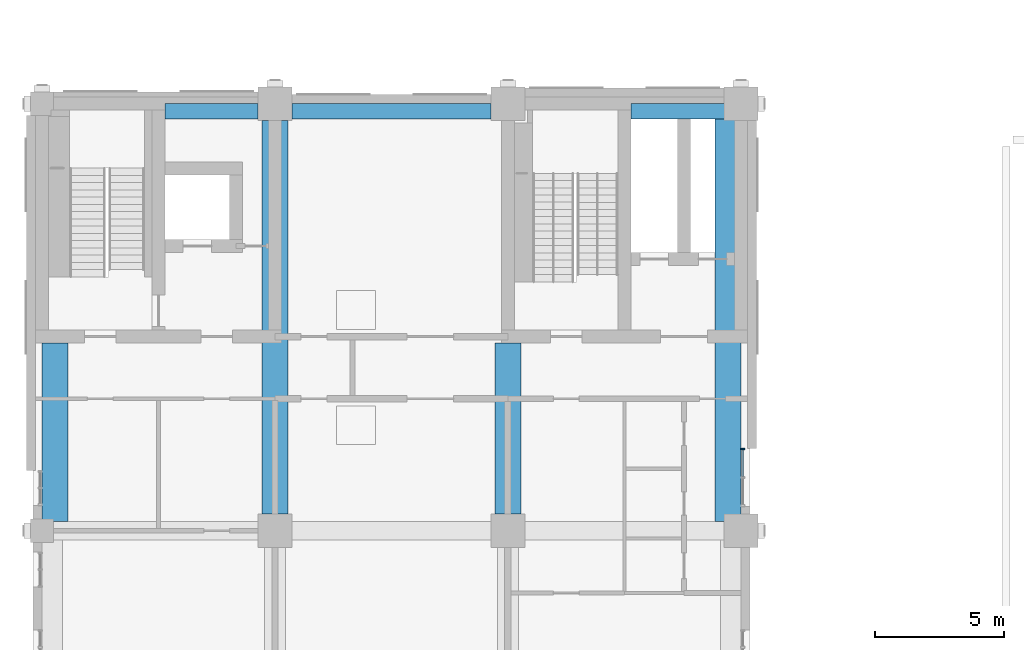
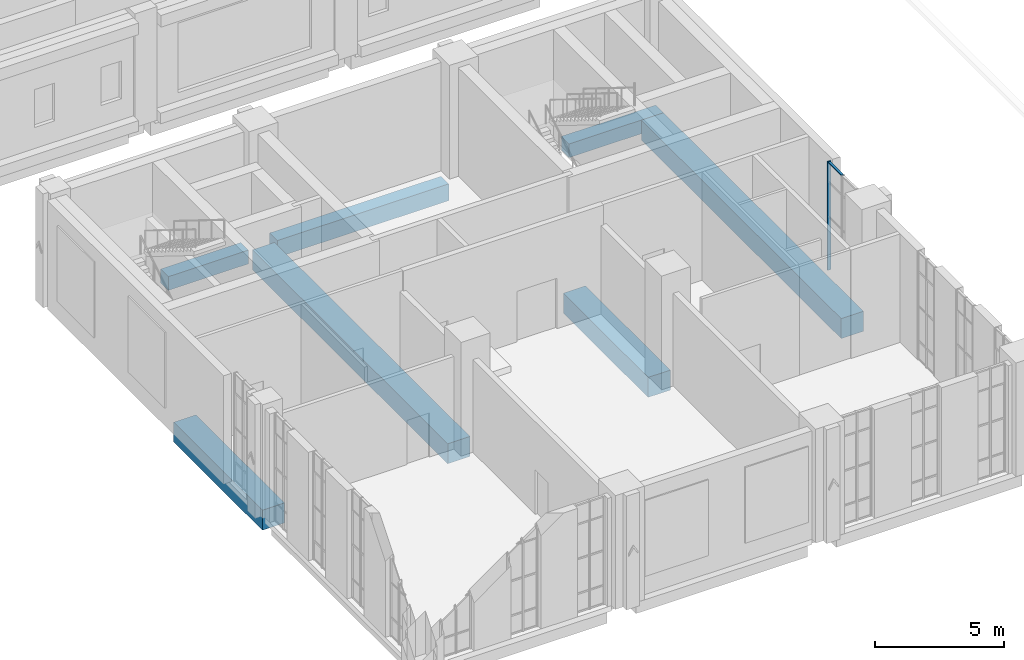
# One storey, part 3 of 37: 7 beams, 2 members, 1 element without a shape of its own.
"""IFC4 building model written with IfcOpenShell, lengths in metres."""

from ifc_helpers import new_model, si_unit, direction, frame, origin, origin_2d, place, context, subcontext, project, spatial, rectangle, extrude, material, layer, layer_set, material_profile, profile_set, type_object, element, aggregate, save


model = new_model("IFC4")

# Units and contexts
model_context = context("Model", 3, precision=1e-05, world=origin(), true_north=direction((0.0, 1.0)))
body_context = subcontext(model_context, "Body", "Model", "MODEL_VIEW")
ifc_project = project(units=[si_unit("LENGTHUNIT", "METRE"), si_unit("AREAUNIT", "SQUARE_METRE"), si_unit("VOLUMEUNIT", "CUBIC_METRE"), si_unit("PLANEANGLEUNIT", "RADIAN"), si_unit("MASSUNIT", "GRAM", prefix="KILO")], contexts=[model_context])

# Site, building, storey
site_placement = place(None, origin())
site = spatial("IfcSite", under=ifc_project, at=site_placement, CompositionType="ELEMENT")
building_placement = place(site_placement, origin())
building = spatial("IfcBuilding", under=site, at=building_placement, Name="Aurelan Courthouse", CompositionType="ELEMENT")
storey_placement = place(building_placement, frame((0.0, 0.0, 17.39990234375)))
storey = spatial("IfcBuildingStorey", under=building, at=storey_placement, Name="L03", CompositionType="ELEMENT", Elevation=17.39990234375)

# Curtain wall, members
ifc_material_1 = material(Name="Bronze-finished aluminium and glass", Category="aluminium")
ifc_layer = layer(ifc_material_1, 0.14990234375)
ifc_layer_set = layer_set([ifc_layer], Name="Bronze-finished aluminium and glass")
curtain_wall_type = type_object("IfcCurtainWallType", Name="Curtain wall 2250 x 5150", PredefinedType="NOTDEFINED", material=ifc_layer_set)
curtain_wall_placement = place(storey_placement, origin())
curtain_wall = element("IfcCurtainWall", 1, at=curtain_wall_placement, inside=storey, type_object=curtain_wall_type, Name="Curtain wall CW-V5-L03-E04", PredefinedType="NOTDEFINED")
ifc_material_2 = material(Name="Bronze-finished aluminium", Category="aluminium")
ifc_material_profile_1 = material_profile(ifc_material_2, rectangle(XDim=0.14990234375, YDim=0.06005859375, at=origin_2d()), Name="Bronze mullion 60 x 150")
ifc_profile_set_1 = profile_set([ifc_material_profile_1], Name="Bronze-finished aluminium")
member_type_1 = type_object("IfcMemberType", Name="Curtain wall mullion 60 x 150", PredefinedType="MULLION", material=ifc_profile_set_1)
member_1_placement = place(storey_placement, frame((27.074951171875, 15.157470703125, 0.0), z_axis=(0.0, 0.0, 1.0), x_axis=(-1.0, 0.0, 0.0)))
member_1 = element("IfcMember", 2, at=member_1_placement, type_object=member_type_1, Name="CW-V5-L03-E04 mullion 3", PredefinedType="MULLION", context=body_context, shape_type="SweptSolid", body=[
    extrude(rectangle(XDim=0.14990234375, YDim=0.06005859375, at=origin_2d()), origin(), (0.0, 0.0, 1.0), 5.150146484375),
])
ifc_material_profile_2 = material_profile(ifc_material_2, rectangle(XDim=0.10009765625, YDim=0.06005859375, at=origin_2d()), Name="Bronze transom 60 x 100")
ifc_profile_set_2 = profile_set([ifc_material_profile_2], Name="Bronze-finished aluminium")
member_type_2 = type_object("IfcMemberType", Name="Curtain wall transom 60 x 100", PredefinedType="USERDEFINED", material=ifc_profile_set_2)
member_2_placement = place(storey_placement, frame((27.074951171875, 14.092529296875, 5.1201171875), z_axis=(0.0, 1.0, 0.0), x_axis=(-1.0, 0.0, 0.0)))
member_2 = element("IfcMember", 3, at=member_2_placement, type_object=member_type_2, Name="CW-V5-L03-E04 transom 2.5", ObjectType="TRANSOM", PredefinedType="USERDEFINED", context=body_context, shape_type="SweptSolid", body=[
    extrude(rectangle(XDim=0.10009765625, YDim=0.06005859375, at=origin_2d()), origin(), (0.0, 0.0, 1.0), 1.034912109375),
])
aggregate(curtain_wall, [member_1, member_2])

# Beams
ifc_material_3 = material(Name="Concrete C50", Category="concrete")
ifc_material_profile_3 = material_profile(ifc_material_3, rectangle(XDim=1.0, YDim=0.949951171875, at=origin_2d()), Name="RC 1000 x 950")
ifc_profile_set_3 = profile_set([ifc_material_profile_3], Name="Concrete C50")
beam_type_1 = type_object("IfcBeamType", Name="PT girder 1000 x 950", PredefinedType="BEAM", material=ifc_profile_set_3)
beam_1_placement = place(storey_placement, frame((0.5, 12.35009765625, -0.724853515625), z_axis=(0.0, 1.0, 0.0), x_axis=(-1.0, 0.0, 0.0)))
element("IfcBeam", 4, at=beam_1_placement, inside=storey, type_object=beam_type_1, Name="Girder GB-1BC-E", PredefinedType="BEAM", context=body_context, shape_type="SweptSolid", body=[
    extrude(rectangle(XDim=1.0, YDim=0.949951171875, at=origin_2d()), origin(), (0.0, 0.0, 1.0), 6.89990234375),
])
beam_2_placement = place(storey_placement, frame((9.0, 12.64990234375, -0.724853515625), z_axis=(0.0, 1.0, 0.0), x_axis=(-1.0, 0.0, 0.0)))
element("IfcBeam", 5, at=beam_2_placement, inside=storey, type_object=beam_type_1, Name="Girder GB-2BC", PredefinedType="BEAM", context=body_context, shape_type="SweptSolid", body=[
    extrude(rectangle(XDim=1.0, YDim=0.949951171875, at=origin_2d()), origin(), (0.0, 0.0, 1.0), 15.2001953125),
])
beam_3_placement = place(storey_placement, frame((18.0, 12.64990234375, -0.724853515625), z_axis=(0.0, 1.0, 0.0), x_axis=(-1.0, 0.0, 0.0)))
element("IfcBeam", 6, at=beam_3_placement, inside=storey, type_object=beam_type_1, Name="Girder GB-3BC", PredefinedType="BEAM", context=body_context, shape_type="SweptSolid", body=[
    extrude(rectangle(XDim=1.0, YDim=0.949951171875, at=origin_2d()), origin(), (0.0, 0.0, 1.0), 6.60009765625),
])
beam_4_placement = place(storey_placement, frame((26.5, 12.35009765625, -0.724853515625), z_axis=(0.0, 1.0, 0.0), x_axis=(-1.0, 0.0, 0.0)))
element("IfcBeam", 7, at=beam_4_placement, inside=storey, type_object=beam_type_1, Name="Girder GB-4BC-E", PredefinedType="BEAM", context=body_context, shape_type="SweptSolid", body=[
    extrude(rectangle(XDim=1.0, YDim=0.949951171875, at=origin_2d()), origin(), (0.0, 0.0, 1.0), 15.5498046875),
])
ifc_material_profile_4 = material_profile(ifc_material_3, rectangle(XDim=0.60009765625, YDim=0.64990234375, at=origin_2d()), Name="RC 600 x 650")
ifc_profile_set_4 = profile_set([ifc_material_profile_4], Name="Concrete C50")
beam_type_2 = type_object("IfcBeamType", Name="RC spandrel beam 600 x 650", PredefinedType="SPANDREL", material=ifc_profile_set_4)
beam_5_placement = place(storey_placement, frame((4.75, 28.199951171875, -0.574951171875), z_axis=(1.0, 0.0, 0.0), x_axis=(0.0, 1.0, 0.0)))
element("IfcBeam", 8, at=beam_5_placement, inside=storey, type_object=beam_type_2, Name="Spandrel beam SB-C-1-2", PredefinedType="SPANDREL", context=body_context, shape_type="SweptSolid", body=[
    extrude(rectangle(XDim=0.60009765625, YDim=0.64990234375, at=origin_2d()), origin(), (0.0, 0.0, 1.0), 3.60009765625),
])
beam_6_placement = place(storey_placement, frame((22.75, 28.199951171875, -0.574951171875), z_axis=(1.0, 0.0, 0.0), x_axis=(0.0, 1.0, 0.0)))
element("IfcBeam", 9, at=beam_6_placement, inside=storey, type_object=beam_type_2, Name="Spandrel beam SB-C-3-4", PredefinedType="SPANDREL", context=body_context, shape_type="SweptSolid", body=[
    extrude(rectangle(XDim=0.60009765625, YDim=0.64990234375, at=origin_2d()), origin(), (0.0, 0.0, 1.0), 4.25),
])
ifc_material_profile_5 = material_profile(ifc_material_3, rectangle(XDim=0.60009765625, YDim=0.800048828125, at=origin_2d()), Name="RC 600 x 800")
ifc_profile_set_5 = profile_set([ifc_material_profile_5], Name="Concrete C50")
beam_type_3 = type_object("IfcBeamType", Name="RC spandrel beam 600 x 800", PredefinedType="SPANDREL", material=ifc_profile_set_5)
beam_7_placement = place(storey_placement, frame((9.64990234375, 28.199951171875, -0.64990234375), z_axis=(1.0, 0.0, 0.0), x_axis=(0.0, 1.0, 0.0)))
element("IfcBeam", 10, at=beam_7_placement, inside=storey, type_object=beam_type_3, Name="Spandrel beam SB-C-2-3", PredefinedType="SPANDREL", context=body_context, shape_type="SweptSolid", body=[
    extrude(rectangle(XDim=0.60009765625, YDim=0.800048828125, at=origin_2d()), origin(), (0.0, 0.0, 1.0), 7.7001953125),
])

save(model, "model.ifc")
